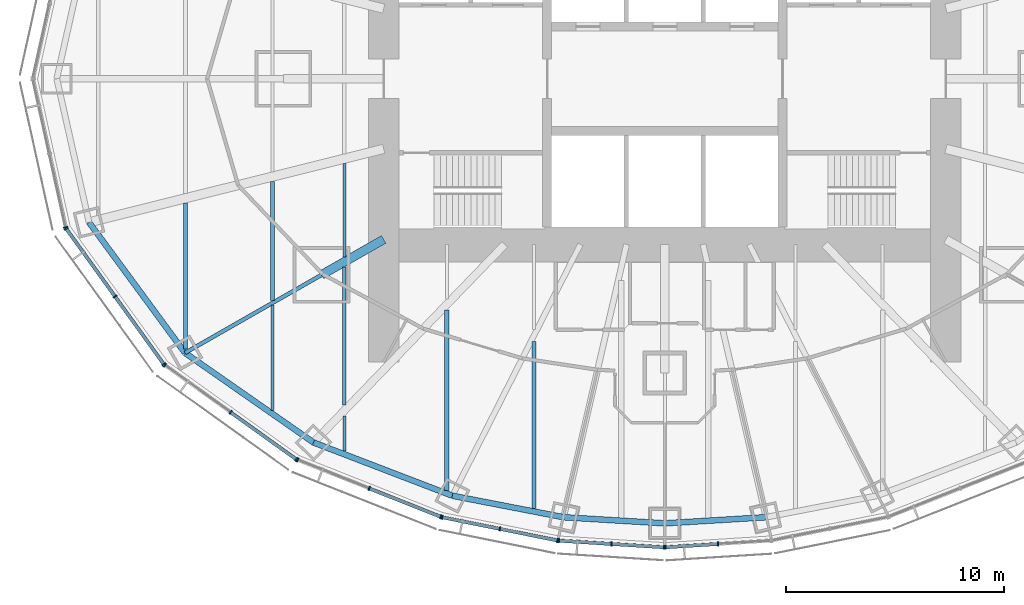
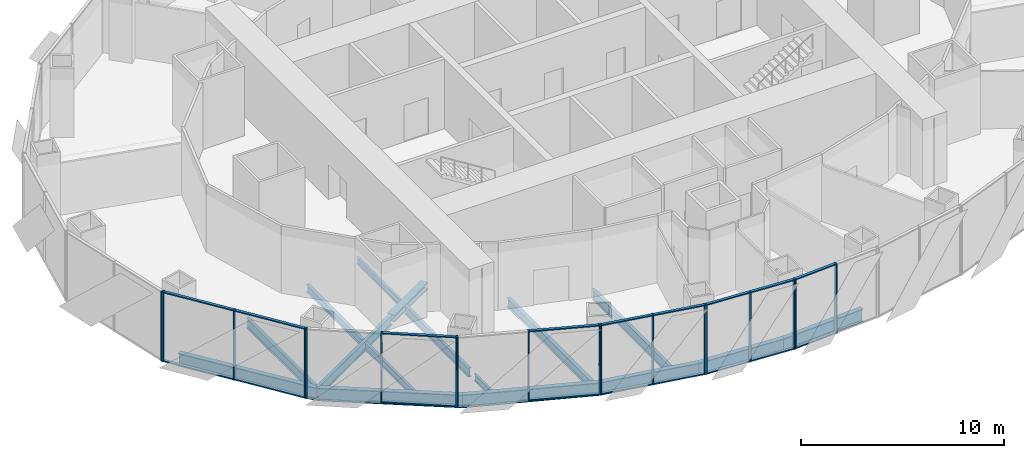
# One storey, part 2 of 18: 36 members, 16 beams, 7 elements without a shape of their own.
"""IFC4 building model written with IfcOpenShell, lengths in metres."""

from ifc_helpers import new_model, si_unit, direction, frame, origin, origin_2d, place, context, subcontext, project, spatial, rectangle, i_section, extrude, material, material_profile, profile_set, type_object, element, aggregate, save


model = new_model("IFC4")

# Units and contexts
model_context = context("Model", 3, precision=1e-05, world=origin(), true_north=direction((0.0, 1.0)))
body_context = subcontext(model_context, "Body", "Model", "MODEL_VIEW")
ifc_project = project(units=[si_unit("LENGTHUNIT", "METRE"), si_unit("AREAUNIT", "SQUARE_METRE"), si_unit("VOLUMEUNIT", "CUBIC_METRE"), si_unit("PLANEANGLEUNIT", "RADIAN"), si_unit("MASSUNIT", "GRAM", prefix="KILO")], contexts=[model_context])

# Site, building, storey
site_placement = place(None, origin())
site = spatial("IfcSite", under=ifc_project, at=site_placement, CompositionType="ELEMENT")
building_placement = place(site_placement, origin())
building = spatial("IfcBuilding", under=site, at=building_placement, Name="Lantaw Convention Tower", CompositionType="ELEMENT")
storey_placement = place(building_placement, frame((0.0, 0.0, 142.60009765625)))
storey = spatial("IfcBuildingStorey", under=building, at=storey_placement, Name="L33", CompositionType="ELEMENT", Elevation=142.60009765625)

# Beams
ifc_material_1 = material(Name="Steel ASTM A992", Category="steel")
ifc_material_profile_1 = material_profile(ifc_material_1, i_section(OverallWidth=0.2666015625, OverallDepth=0.76953125, WebThickness=0.015625, FlangeThickness=0.025390625, FilletRadius=0.0126953125, at=origin_2d()), Name="W30X132")
ifc_profile_set_1 = profile_set([ifc_material_profile_1], Name="Steel ASTM A992")
beam_type_1 = type_object("IfcBeamType", Name="Beam E W30X132", PredefinedType="SPANDREL", material=ifc_profile_set_1)
beam_1_placement = place(storey_placement, frame((-26.419921875, -6.587158203125, -0.534912109375), z_axis=(0.5923891972, -0.805651934176, 0.0), x_axis=(0.805651934176, 0.5923891972, 0.0)))
element("IfcBeam", 1, at=beam_1_placement, inside=storey, type_object=beam_type_1, Name="Edge beam 14", PredefinedType="SPANDREL", context=body_context, shape_type="SweptSolid", body=[
    extrude(i_section(OverallWidth=0.2666015625, OverallDepth=0.76953125, WebThickness=0.015625, FlangeThickness=0.025390625, FilletRadius=0.0126953125, at=origin_2d()), origin(), (0.0, 0.0, 1.0), 7.437744140625),
])
beam_2_placement = place(storey_placement, frame((-22.013916015625, -12.579345703125, -0.534912109375), z_axis=(0.820310765287, -0.57191804339, 0.0), x_axis=(0.57191804339, 0.820310765287, 0.0)))
element("IfcBeam", 2, at=beam_2_placement, inside=storey, type_object=beam_type_1, Name="Edge beam 15", PredefinedType="SPANDREL", context=body_context, shape_type="SweptSolid", body=[
    extrude(i_section(OverallWidth=0.2666015625, OverallDepth=0.76953125, WebThickness=0.015625, FlangeThickness=0.025390625, FilletRadius=0.0126953125, at=origin_2d()), origin(), (0.0, 0.0, 1.0), 7.187744140625),
])
beam_3_placement = place(storey_placement, frame((-16.11767578125, -16.690185546875, -0.534912109375), z_axis=(0.933691081977, -0.358079549033, 0.0), x_axis=(0.358079549033, 0.933691081977, 0.0)))
element("IfcBeam", 3, at=beam_3_placement, inside=storey, type_object=beam_type_1, Name="Edge beam 16", PredefinedType="SPANDREL", context=body_context, shape_type="SweptSolid", body=[
    extrude(i_section(OverallWidth=0.2666015625, OverallDepth=0.76953125, WebThickness=0.015625, FlangeThickness=0.025390625, FilletRadius=0.0126953125, at=origin_2d()), origin(), (0.0, 0.0, 1.0), 6.821533203125),
])
beam_4_placement = place(storey_placement, frame((-9.74853515625, -19.1328125, -0.534912109375), z_axis=(0.981796805654, -0.189934284446, 0.0), x_axis=(0.189934284446, 0.981796805654, 0.0)))
element("IfcBeam", 4, at=beam_4_placement, inside=storey, type_object=beam_type_1, Name="Edge beam 17", PredefinedType="SPANDREL", context=body_context, shape_type="SweptSolid", body=[
    extrude(i_section(OverallWidth=0.2666015625, OverallDepth=0.76953125, WebThickness=0.015625, FlangeThickness=0.025390625, FilletRadius=0.0126953125, at=origin_2d()), origin(), (0.0, 0.0, 1.0), 5.1982421875),
])
for number, where, z_axis, x_axis, name in (
    (5, (-4.64501953125, -20.1201171875, -0.534912109375), (0.998190892054, -0.06012439621, 0.0), (0.06012439621, 0.998190892054, 0.0), "Edge beam 18"),
    (6, (0.0, -20.39990234375, -0.534912109375), (0.998190892054, 0.06012439621, 0.0), (-0.06012439621, 0.998190892054, 0.0), "Edge beam 19"),
):
    element("IfcBeam", number, at=place(storey_placement, frame(where, z_axis=z_axis, x_axis=x_axis)), inside=storey, type_object=beam_type_1, Name=name, PredefinedType="SPANDREL", context=body_context, shape_type="SweptSolid", body=[
        extrude(i_section(OverallWidth=0.2666015625, OverallDepth=0.76953125, WebThickness=0.015625, FlangeThickness=0.025390625, FilletRadius=0.0126953125, at=origin_2d()), origin(), (0.0, 0.0, 1.0), 4.6533203125),
    ])
ifc_material_profile_2 = material_profile(ifc_material_1, i_section(OverallWidth=0.177978515625, OverallDepth=0.599365234375, WebThickness=0.010009765625, FlangeThickness=0.012939453125, FilletRadius=0.012939453125, at=origin_2d()), Name="W24X55")
ifc_profile_set_2 = profile_set([ifc_material_profile_2], Name="Steel ASTM A992")
beam_type_2 = type_object("IfcBeamType", Name="Beam G W24X55", PredefinedType="BEAM", material=ifc_profile_set_2)
beam_5_placement = place(storey_placement, frame((-15.75, -9.0, -0.44970703125), z_axis=(-0.868245224608, -0.496135293993, 0.0), x_axis=(0.496135293993, -0.868245224608, 0.0)))
element("IfcBeam", 7, at=beam_5_placement, inside=storey, type_object=beam_type_2, Name="Floor girder on ray 15", PredefinedType="BEAM", context=body_context, shape_type="SweptSolid", body=[
    extrude(i_section(OverallWidth=0.177978515625, OverallDepth=0.599365234375, WebThickness=0.010009765625, FlangeThickness=0.012939453125, FilletRadius=0.012939453125, at=origin_2d()), origin(), (0.0, 0.0, 1.0), 7.21435546875),
])
ifc_material_profile_3 = material_profile(ifc_material_1, i_section(OverallWidth=0.40380859375, OverallDepth=0.406494140625, WebThickness=0.027099609375, FlangeThickness=0.043701171875, FilletRadius=0.01513671875, at=origin_2d()), Name="W14X233")
ifc_profile_set_3 = profile_set([ifc_material_profile_3], Name="Steel ASTM A992")
beam_type_3 = type_object("IfcBeamType", Name="Beam GM W14X233", PredefinedType="BEAM", material=ifc_profile_set_3)
beam_6_placement = place(storey_placement, frame((-12.89990234375, -7.371337890625, -0.353271484375), z_axis=(-0.868238565244, -0.496146947811, 0.0), x_axis=(0.496146947811, -0.868238565244, 0.0)))
element("IfcBeam", 8, at=beam_6_placement, inside=storey, type_object=beam_type_3, Name="Core link beam on ray 15", PredefinedType="BEAM", context=body_context, shape_type="SweptSolid", body=[
    extrude(i_section(OverallWidth=0.40380859375, OverallDepth=0.406494140625, WebThickness=0.027099609375, FlangeThickness=0.043701171875, FilletRadius=0.01513671875, at=origin_2d()), origin(), (0.0, 0.0, 1.0), 3.28271484375),
])
ifc_material_profile_4 = material_profile(ifc_material_1, i_section(OverallWidth=0.140380859375, OverallDepth=0.40380859375, WebThickness=0.007080078125, FlangeThickness=0.01123046875, FilletRadius=0.01025390625, at=origin_2d()), Name="W16X31")
ifc_profile_set_4 = profile_set([ifc_material_profile_4], Name="Steel ASTM A992")
beam_type_4 = type_object("IfcBeamType", Name="Beam J W16X31", PredefinedType="JOIST", material=ifc_profile_set_4)
beam_7_placement = place(storey_placement, frame((-14.699951171875, -17.091064453125, -0.35205078125), z_axis=(0.0, 1.0, 0.0), x_axis=(-1.0, 0.0, 0.0)))
element("IfcBeam", 9, at=beam_7_placement, inside=storey, type_object=beam_type_4, Name="Floor joist", PredefinedType="JOIST", context=body_context, shape_type="SweptSolid", body=[
    extrude(i_section(OverallWidth=0.140380859375, OverallDepth=0.40380859375, WebThickness=0.007080078125, FlangeThickness=0.01123046875, FilletRadius=0.01025390625, at=origin_2d()), origin(), (0.0, 0.0, 1.0), 1.609130859375),
])
beam_8_placement = place(storey_placement, frame((-14.699951171875, -8.16748046875, -0.35205078125), z_axis=(0.0, 1.0, 0.0), x_axis=(-1.0, 0.0, 0.0)))
element("IfcBeam", 10, at=beam_8_placement, inside=storey, type_object=beam_type_4, Name="Floor joist", PredefinedType="JOIST", context=body_context, shape_type="SweptSolid", body=[
    extrude(i_section(OverallWidth=0.140380859375, OverallDepth=0.40380859375, WebThickness=0.007080078125, FlangeThickness=0.01123046875, FilletRadius=0.01025390625, at=origin_2d()), origin(), (0.0, 0.0, 1.0), 4.28515625),
])
ifc_material_profile_5 = material_profile(ifc_material_1, i_section(OverallWidth=0.15234375, OverallDepth=0.449462890625, WebThickness=0.007568359375, FlangeThickness=0.0107421875, FilletRadius=0.01025390625, at=origin_2d()), Name="W18X35")
ifc_profile_set_5 = profile_set([ifc_material_profile_5], Name="Steel ASTM A992")
beam_type_5 = type_object("IfcBeamType", Name="Beam J W18X35", PredefinedType="JOIST", material=ifc_profile_set_5)
beam_9_placement = place(storey_placement, frame((-18.0, -15.21533203125, -0.375), z_axis=(0.0, 1.0, 0.0), x_axis=(-1.0, 0.0, 0.0)))
element("IfcBeam", 11, at=beam_9_placement, inside=storey, type_object=beam_type_5, Name="Floor joist", PredefinedType="JOIST", context=body_context, shape_type="SweptSolid", body=[
    extrude(i_section(OverallWidth=0.15234375, OverallDepth=0.449462890625, WebThickness=0.007568359375, FlangeThickness=0.0107421875, FilletRadius=0.01025390625, at=origin_2d()), origin(), (0.0, 0.0, 1.0), 4.8271484375),
])
ifc_material_profile_6 = material_profile(ifc_material_1, i_section(OverallWidth=0.1904296875, OverallDepth=0.457275390625, WebThickness=0.009033203125, FlangeThickness=0.014404296875, FilletRadius=0.01025390625, at=origin_2d()), Name="W18X50")
ifc_profile_set_6 = profile_set([ifc_material_profile_6], Name="Steel ASTM A992")
beam_type_6 = type_object("IfcBeamType", Name="Beam J W18X50", PredefinedType="JOIST", material=ifc_profile_set_6)
beam_10_placement = place(storey_placement, frame((-18.0, -10.18310546875, -0.378662109375), z_axis=(0.0, 1.0, 0.0), x_axis=(-1.0, 0.0, 0.0)))
element("IfcBeam", 12, at=beam_10_placement, inside=storey, type_object=beam_type_6, Name="Floor joist", PredefinedType="JOIST", context=body_context, shape_type="SweptSolid", body=[
    extrude(i_section(OverallWidth=0.1904296875, OverallDepth=0.457275390625, WebThickness=0.009033203125, FlangeThickness=0.014404296875, FilletRadius=0.01025390625, at=origin_2d()), origin(), (0.0, 0.0, 1.0), 5.47802734375),
])
ifc_material_profile_7 = material_profile(ifc_material_1, i_section(OverallWidth=0.1650390625, OverallDepth=0.52587890625, WebThickness=0.0087890625, FlangeThickness=0.011474609375, FilletRadius=0.0126953125, at=origin_2d()), Name="W21X44")
ifc_profile_set_7 = profile_set([ifc_material_profile_7], Name="Steel ASTM A992")
beam_type_7 = type_object("IfcBeamType", Name="Beam J W21X44", PredefinedType="JOIST", material=ifc_profile_set_7)
beam_11_placement = place(storey_placement, frame((-14.699951171875, -14.962646484375, -0.4130859375), z_axis=(0.0, 1.0, 0.0), x_axis=(-1.0, 0.0, 0.0)))
element("IfcBeam", 13, at=beam_11_placement, inside=storey, type_object=beam_type_7, Name="Floor joist", PredefinedType="JOIST", context=body_context, shape_type="SweptSolid", body=[
    extrude(i_section(OverallWidth=0.1650390625, OverallDepth=0.52587890625, WebThickness=0.0087890625, FlangeThickness=0.011474609375, FilletRadius=0.0126953125, at=origin_2d()), origin(), (0.0, 0.0, 1.0), 6.330078125),
])
ifc_material_profile_8 = material_profile(ifc_material_1, i_section(OverallWidth=0.2099609375, OverallDepth=0.535888671875, WebThickness=0.010986328125, FlangeThickness=0.017333984375, FilletRadius=0.012939453125, at=origin_2d()), Name="W21X68")
ifc_profile_set_8 = profile_set([ifc_material_profile_8], Name="Steel ASTM A992")
beam_type_8 = type_object("IfcBeamType", Name="Beam J W21X68", PredefinedType="JOIST", material=ifc_profile_set_8)
beam_12_placement = place(storey_placement, frame((-10.0, -18.8935546875, -0.41796875), z_axis=(0.0, 1.0, 0.0), x_axis=(-1.0, 0.0, 0.0)))
element("IfcBeam", 14, at=beam_12_placement, inside=storey, type_object=beam_type_8, Name="Floor joist", PredefinedType="JOIST", context=body_context, shape_type="SweptSolid", body=[
    extrude(i_section(OverallWidth=0.2099609375, OverallDepth=0.535888671875, WebThickness=0.010986328125, FlangeThickness=0.017333984375, FilletRadius=0.012939453125, at=origin_2d()), origin(), (0.0, 0.0, 1.0), 8.278564453125),
])
ifc_material_profile_9 = material_profile(ifc_material_1, i_section(OverallWidth=0.177978515625, OverallDepth=0.599365234375, WebThickness=0.010009765625, FlangeThickness=0.012939453125, FilletRadius=0.012939453125, at=origin_2d()), Name="W24X55")
ifc_profile_set_9 = profile_set([ifc_material_profile_9], Name="Steel ASTM A992")
beam_type_9 = type_object("IfcBeamType", Name="Beam J W24X55", PredefinedType="JOIST", material=ifc_profile_set_9)
beam_13_placement = place(storey_placement, frame((-22.0, -12.408935546875, -0.44970703125), z_axis=(0.0, 1.0, 0.0), x_axis=(-1.0, 0.0, 0.0)))
element("IfcBeam", 15, at=beam_13_placement, inside=storey, type_object=beam_type_9, Name="Floor joist", PredefinedType="JOIST", context=body_context, shape_type="SweptSolid", body=[
    extrude(i_section(OverallWidth=0.177978515625, OverallDepth=0.599365234375, WebThickness=0.010009765625, FlangeThickness=0.012939453125, FilletRadius=0.012939453125, at=origin_2d()), origin(), (0.0, 0.0, 1.0), 6.70654296875),
])
beam_14_placement = place(storey_placement, frame((-6.0, -19.72216796875, -0.44970703125), z_axis=(0.0, 1.0, 0.0), x_axis=(-1.0, 0.0, 0.0)))
element("IfcBeam", 16, at=beam_14_placement, inside=storey, type_object=beam_type_9, Name="Floor joist", PredefinedType="JOIST", context=body_context, shape_type="SweptSolid", body=[
    extrude(i_section(OverallWidth=0.177978515625, OverallDepth=0.599365234375, WebThickness=0.010009765625, FlangeThickness=0.012939453125, FilletRadius=0.012939453125, at=origin_2d()), origin(), (0.0, 0.0, 1.0), 7.666748046875),
])

# Curtain wall, member
ifc_material_2 = material(Name="Aluminium framed curtain wall", Category="aluminium")
curtain_wall_type = type_object("IfcCurtainWallType", Name="Office curtain wall low rise, pale aluminium", PredefinedType="USERDEFINED", material=ifc_material_2)
curtain_wall_1_placement = place(storey_placement, origin())
curtain_wall_1 = element("IfcCurtainWall", 17, at=curtain_wall_1_placement, inside=storey, type_object=curtain_wall_type, Name="Office curtain wall low rise, pale aluminium L33", ObjectType="UNITISED CURTAIN WALL", PredefinedType="USERDEFINED")
ifc_material_3 = material(Name="Aluminium 6063-T6", Category="aluminium")
ifc_material_profile_10 = material_profile(ifc_material_3, rectangle(XDim=0.199951171875, YDim=0.06494140625, at=origin_2d()), Name="CW-O1 mullion 65x200")
ifc_profile_set_10 = profile_set([ifc_material_profile_10], Name="Aluminium 6063-T6")
member_type_1 = type_object("IfcMemberType", Name="CW-O1 mullion 65x200", PredefinedType="MULLION", material=ifc_profile_set_10)
member_1_placement = place(storey_placement, frame((-27.494140625, -6.821533203125, -0.150146484375), z_axis=(0.0, 0.0, 1.0), x_axis=(0.9764936509, 0.215546166174, 0.0)))
member_1 = element("IfcMember", 18, at=member_1_placement, type_object=member_type_1, Name="CW-O1 mullion 3", PredefinedType="MULLION", context=body_context, shape_type="SweptSolid", body=[
    extrude(rectangle(XDim=0.199951171875, YDim=0.06494140625, at=origin_2d()), origin(), (0.0, 0.0, 1.0), 4.199951171875),
])
aggregate(curtain_wall_1, [member_1])

# Curtain wall, members
curtain_wall_2_placement = place(storey_placement, origin())
curtain_wall_2 = element("IfcCurtainWall", 19, at=curtain_wall_2_placement, inside=storey, type_object=curtain_wall_type, Name="Office curtain wall low rise, pale aluminium L33", ObjectType="UNITISED CURTAIN WALL", PredefinedType="USERDEFINED")
member_2_placement = place(storey_placement, frame((-27.46826171875, -6.879638671875, -0.150146484375), z_axis=(0.0, 0.0, 1.0), x_axis=(0.811384633629, 0.584512597221, 0.0)))
member_2 = element("IfcMember", 20, at=member_2_placement, type_object=member_type_1, Name="CW-O1 mullion 1", PredefinedType="MULLION", context=body_context, shape_type="SweptSolid", body=[
    extrude(rectangle(XDim=0.199951171875, YDim=0.06494140625, at=origin_2d()), origin(), (0.0, 0.0, 1.0), 4.199951171875),
])
member_3_placement = place(storey_placement, frame((-25.22802734375, -9.9892578125, -0.150146484375), z_axis=(0.0, 0.0, 1.0), x_axis=(0.811384633629, 0.584512597221, 0.0)))
member_3 = element("IfcMember", 21, at=member_3_placement, type_object=member_type_1, Name="CW-O1 mullion 2", PredefinedType="MULLION", context=body_context, shape_type="SweptSolid", body=[
    extrude(rectangle(XDim=0.199951171875, YDim=0.06494140625, at=origin_2d()), origin(), (0.0, 0.0, 1.0), 4.199951171875),
])
member_4_placement = place(storey_placement, frame((-22.988037109375, -13.098876953125, -0.150146484375), z_axis=(0.0, 0.0, 1.0), x_axis=(0.811384633629, 0.584512597221, 0.0)))
member_4 = element("IfcMember", 22, at=member_4_placement, type_object=member_type_1, Name="CW-O1 mullion 3", PredefinedType="MULLION", context=body_context, shape_type="SweptSolid", body=[
    extrude(rectangle(XDim=0.199951171875, YDim=0.06494140625, at=origin_2d()), origin(), (0.0, 0.0, 1.0), 4.199951171875),
])

curtain_wall_3_placement = place(storey_placement, origin())
curtain_wall_3 = element("IfcCurtainWall", 23, at=curtain_wall_3_placement, inside=storey, type_object=curtain_wall_type, Name="Office curtain wall low rise, pale aluminium L33", ObjectType="UNITISED CURTAIN WALL", PredefinedType="USERDEFINED")
member_5_placement = place(storey_placement, frame((-22.942626953125, -13.14404296875, -0.150146484375), z_axis=(0.0, 0.0, 1.0), x_axis=(0.581972695693, 0.813208325995, 0.0)))
member_5 = element("IfcMember", 24, at=member_5_placement, type_object=member_type_1, Name="CW-O1 mullion 1", PredefinedType="MULLION", context=body_context, shape_type="SweptSolid", body=[
    extrude(rectangle(XDim=0.199951171875, YDim=0.06494140625, at=origin_2d()), origin(), (0.0, 0.0, 1.0), 4.199951171875),
])
member_6_placement = place(storey_placement, frame((-19.92529296875, -15.303466796875, -0.150146484375), z_axis=(0.0, 0.0, 1.0), x_axis=(0.581972695693, 0.813208325995, 0.0)))
member_6 = element("IfcMember", 25, at=member_6_placement, type_object=member_type_1, Name="CW-O1 mullion 2", PredefinedType="MULLION", context=body_context, shape_type="SweptSolid", body=[
    extrude(rectangle(XDim=0.199951171875, YDim=0.06494140625, at=origin_2d()), origin(), (0.0, 0.0, 1.0), 4.199951171875),
])
member_7_placement = place(storey_placement, frame((-16.908203125, -17.462646484375, -0.150146484375), z_axis=(0.0, 0.0, 1.0), x_axis=(0.581972695693, 0.813208325995, 0.0)))
member_7 = element("IfcMember", 26, at=member_7_placement, type_object=member_type_1, Name="CW-O1 mullion 3", PredefinedType="MULLION", context=body_context, shape_type="SweptSolid", body=[
    extrude(rectangle(XDim=0.199951171875, YDim=0.06494140625, at=origin_2d()), origin(), (0.0, 0.0, 1.0), 4.199951171875),
])

curtain_wall_4_placement = place(storey_placement, origin())
curtain_wall_4 = element("IfcCurtainWall", 27, at=curtain_wall_4_placement, inside=storey, type_object=curtain_wall_type, Name="Office curtain wall low rise, pale aluminium L33", ObjectType="UNITISED CURTAIN WALL", PredefinedType="USERDEFINED")
member_8_placement = place(storey_placement, frame((-16.8515625, -17.49365234375, -0.150146484375), z_axis=(0.0, 0.0, 1.0), x_axis=(0.368701907483, 0.929547687544, 0.0)))
member_8 = element("IfcMember", 28, at=member_8_placement, type_object=member_type_1, Name="CW-O1 mullion 1", PredefinedType="MULLION", context=body_context, shape_type="SweptSolid", body=[
    extrude(rectangle(XDim=0.199951171875, YDim=0.06494140625, at=origin_2d()), origin(), (0.0, 0.0, 1.0), 4.199951171875),
])
member_9_placement = place(storey_placement, frame((-13.56494140625, -18.797119140625, -0.150146484375), z_axis=(0.0, 0.0, 1.0), x_axis=(0.368701907483, 0.929547687544, 0.0)))
member_9 = element("IfcMember", 29, at=member_9_placement, type_object=member_type_1, Name="CW-O1 mullion 2", PredefinedType="MULLION", context=body_context, shape_type="SweptSolid", body=[
    extrude(rectangle(XDim=0.199951171875, YDim=0.06494140625, at=origin_2d()), origin(), (0.0, 0.0, 1.0), 4.199951171875),
])
member_10_placement = place(storey_placement, frame((-10.2783203125, -20.100830078125, -0.150146484375), z_axis=(0.0, 0.0, 1.0), x_axis=(0.368701907483, 0.929547687544, 0.0)))
member_10 = element("IfcMember", 30, at=member_10_placement, type_object=member_type_1, Name="CW-O1 mullion 3", PredefinedType="MULLION", context=body_context, shape_type="SweptSolid", body=[
    extrude(rectangle(XDim=0.199951171875, YDim=0.06494140625, at=origin_2d()), origin(), (0.0, 0.0, 1.0), 4.199951171875),
])

curtain_wall_5_placement = place(storey_placement, origin())
curtain_wall_5 = element("IfcCurtainWall", 31, at=curtain_wall_5_placement, inside=storey, type_object=curtain_wall_type, Name="Office curtain wall low rise, pale aluminium L33", ObjectType="UNITISED CURTAIN WALL", PredefinedType="USERDEFINED")
member_11_placement = place(storey_placement, frame((-10.216064453125, -20.119140625, -0.150146484375), z_axis=(0.0, 0.0, 1.0), x_axis=(0.197506809659, 0.980301514912, 0.0)))
member_11 = element("IfcMember", 32, at=member_11_placement, type_object=member_type_1, Name="CW-O1 mullion 1", PredefinedType="MULLION", context=body_context, shape_type="SweptSolid", body=[
    extrude(rectangle(XDim=0.199951171875, YDim=0.06494140625, at=origin_2d()), origin(), (0.0, 0.0, 1.0), 4.199951171875),
])
member_12_placement = place(storey_placement, frame((-7.5703125, -20.65234375, -0.150146484375), z_axis=(0.0, 0.0, 1.0), x_axis=(0.197506809659, 0.980301514912, 0.0)))
member_12 = element("IfcMember", 33, at=member_12_placement, type_object=member_type_1, Name="CW-O1 mullion 2", PredefinedType="MULLION", context=body_context, shape_type="SweptSolid", body=[
    extrude(rectangle(XDim=0.199951171875, YDim=0.06494140625, at=origin_2d()), origin(), (0.0, 0.0, 1.0), 4.199951171875),
])
member_13_placement = place(storey_placement, frame((-4.92431640625, -21.185302734375, -0.150146484375), z_axis=(0.0, 0.0, 1.0), x_axis=(0.197506809659, 0.980301514912, 0.0)))
member_13 = element("IfcMember", 34, at=member_13_placement, type_object=member_type_1, Name="CW-O1 mullion 3", PredefinedType="MULLION", context=body_context, shape_type="SweptSolid", body=[
    extrude(rectangle(XDim=0.199951171875, YDim=0.06494140625, at=origin_2d()), origin(), (0.0, 0.0, 1.0), 4.199951171875),
])

curtain_wall_6_placement = place(storey_placement, origin())
curtain_wall_6 = element("IfcCurtainWall", 35, at=curtain_wall_6_placement, inside=storey, type_object=curtain_wall_type, Name="Office curtain wall low rise, pale aluminium L33", ObjectType="UNITISED CURTAIN WALL", PredefinedType="USERDEFINED")
member_14_placement = place(storey_placement, frame((-4.860107421875, -21.19384765625, -0.150146484375), z_axis=(0.0, 0.0, 1.0), x_axis=(0.062865059466, 0.998022035978, 0.0)))
member_14 = element("IfcMember", 36, at=member_14_placement, type_object=member_type_1, Name="CW-O1 mullion 1", PredefinedType="MULLION", context=body_context, shape_type="SweptSolid", body=[
    extrude(rectangle(XDim=0.199951171875, YDim=0.06494140625, at=origin_2d()), origin(), (0.0, 0.0, 1.0), 4.199951171875),
])
member_15_placement = place(storey_placement, frame((-2.4462890625, -21.345947265625, -0.150146484375), z_axis=(0.0, 0.0, 1.0), x_axis=(0.062865059466, 0.998022035978, 0.0)))
member_15 = element("IfcMember", 37, at=member_15_placement, type_object=member_type_1, Name="CW-O1 mullion 2", PredefinedType="MULLION", context=body_context, shape_type="SweptSolid", body=[
    extrude(rectangle(XDim=0.199951171875, YDim=0.06494140625, at=origin_2d()), origin(), (0.0, 0.0, 1.0), 4.199951171875),
])
member_16_placement = place(storey_placement, frame((-0.032470703125, -21.498046875, -0.150146484375), z_axis=(0.0, 0.0, 1.0), x_axis=(0.062865059466, 0.998022035978, 0.0)))
member_16 = element("IfcMember", 38, at=member_16_placement, type_object=member_type_1, Name="CW-O1 mullion 3", PredefinedType="MULLION", context=body_context, shape_type="SweptSolid", body=[
    extrude(rectangle(XDim=0.199951171875, YDim=0.06494140625, at=origin_2d()), origin(), (0.0, 0.0, 1.0), 4.199951171875),
])

curtain_wall_7_placement = place(storey_placement, origin())
curtain_wall_7 = element("IfcCurtainWall", 39, at=curtain_wall_7_placement, inside=storey, type_object=curtain_wall_type, Name="Office curtain wall low rise, pale aluminium L33", ObjectType="UNITISED CURTAIN WALL", PredefinedType="USERDEFINED")
member_17_placement = place(storey_placement, frame((0.032470703125, -21.498046875, -0.150146484375), z_axis=(0.0, 0.0, 1.0), x_axis=(-0.062865059466, 0.998022035978, 0.0)))
member_17 = element("IfcMember", 40, at=member_17_placement, type_object=member_type_1, Name="CW-O1 mullion 1", PredefinedType="MULLION", context=body_context, shape_type="SweptSolid", body=[
    extrude(rectangle(XDim=0.199951171875, YDim=0.06494140625, at=origin_2d()), origin(), (0.0, 0.0, 1.0), 4.199951171875),
])
member_18_placement = place(storey_placement, frame((2.4462890625, -21.345947265625, -0.150146484375), z_axis=(0.0, 0.0, 1.0), x_axis=(-0.062865059466, 0.998022035978, 0.0)))
member_18 = element("IfcMember", 41, at=member_18_placement, type_object=member_type_1, Name="CW-O1 mullion 2", PredefinedType="MULLION", context=body_context, shape_type="SweptSolid", body=[
    extrude(rectangle(XDim=0.199951171875, YDim=0.06494140625, at=origin_2d()), origin(), (0.0, 0.0, 1.0), 4.199951171875),
])

# Member
ifc_material_profile_11 = material_profile(ifc_material_3, rectangle(XDim=0.159912109375, YDim=0.06494140625, at=origin_2d()), Name="CW-O1 transom 65x160")
ifc_profile_set_11 = profile_set([ifc_material_profile_11], Name="Aluminium 6063-T6")
member_type_2 = type_object("IfcMemberType", Name="CW-O1 transom 65x160", PredefinedType="USERDEFINED", material=ifc_profile_set_11)
member_19_placement = place(storey_placement, frame((-27.44921875, -6.906005859375, -0.11767578125), z_axis=(0.584512973979, -0.811384362217, 0.0), x_axis=(0.811384362217, 0.584512973979, 0.0)))
member_19 = element("IfcMember", 42, at=member_19_placement, type_object=member_type_2, Name="CW-O1 transom 1.1", ObjectType="TRANSOM", PredefinedType="USERDEFINED", context=body_context, shape_type="SweptSolid", body=[
    extrude(rectangle(XDim=0.159912109375, YDim=0.06494140625, at=origin_2d()), origin(), (0.0, 0.0, 1.0), 3.767578125),
])

member_20_placement = place(storey_placement, frame((-27.44921875, -6.906005859375, 4.017333984375), z_axis=(0.584512973979, -0.811384362217, 0.0), x_axis=(0.811384362217, 0.584512973979, 0.0)))
member_20 = element("IfcMember", 43, at=member_20_placement, type_object=member_type_2, Name="CW-O1 transom 1.2", ObjectType="TRANSOM", PredefinedType="USERDEFINED", context=body_context, shape_type="SweptSolid", body=[
    extrude(rectangle(XDim=0.159912109375, YDim=0.06494140625, at=origin_2d()), origin(), (0.0, 0.0, 1.0), 3.767578125),
])

member_21_placement = place(storey_placement, frame((-25.209228515625, -10.015625, -0.11767578125), z_axis=(0.584512973979, -0.811384362217, 0.0), x_axis=(0.811384362217, 0.584512973979, 0.0)))
member_21 = element("IfcMember", 44, at=member_21_placement, type_object=member_type_2, Name="CW-O1 transom 2.1", ObjectType="TRANSOM", PredefinedType="USERDEFINED", context=body_context, shape_type="SweptSolid", body=[
    extrude(rectangle(XDim=0.159912109375, YDim=0.06494140625, at=origin_2d()), origin(), (0.0, 0.0, 1.0), 3.767578125),
])

member_22_placement = place(storey_placement, frame((-25.209228515625, -10.015625, 4.017333984375), z_axis=(0.584512973979, -0.811384362217, 0.0), x_axis=(0.811384362217, 0.584512973979, 0.0)))
member_22 = element("IfcMember", 45, at=member_22_placement, type_object=member_type_2, Name="CW-O1 transom 2.2", ObjectType="TRANSOM", PredefinedType="USERDEFINED", context=body_context, shape_type="SweptSolid", body=[
    extrude(rectangle(XDim=0.159912109375, YDim=0.06494140625, at=origin_2d()), origin(), (0.0, 0.0, 1.0), 3.767578125),
])

aggregate(curtain_wall_2, [member_2, member_3, member_4, member_19, member_20, member_21, member_22])

member_23_placement = place(storey_placement, frame((-19.89892578125, -15.322265625, -0.11767578125), z_axis=(0.813190089133, -0.581998177777, 0.0), x_axis=(0.581998177777, 0.813190089133, 0.0)))
member_23 = element("IfcMember", 46, at=member_23_placement, type_object=member_type_2, Name="CW-O1 transom 2.1", ObjectType="TRANSOM", PredefinedType="USERDEFINED", context=body_context, shape_type="SweptSolid", body=[
    extrude(rectangle(XDim=0.159912109375, YDim=0.06494140625, at=origin_2d()), origin(), (0.0, 0.0, 1.0), 3.645263671875),
])

member_24_placement = place(storey_placement, frame((-19.89892578125, -15.322265625, 4.017333984375), z_axis=(0.813190089133, -0.581998177777, 0.0), x_axis=(0.581998177777, 0.813190089133, 0.0)))
member_24 = element("IfcMember", 47, at=member_24_placement, type_object=member_type_2, Name="CW-O1 transom 2.2", ObjectType="TRANSOM", PredefinedType="USERDEFINED", context=body_context, shape_type="SweptSolid", body=[
    extrude(rectangle(XDim=0.159912109375, YDim=0.06494140625, at=origin_2d()), origin(), (0.0, 0.0, 1.0), 3.645263671875),
])

aggregate(curtain_wall_3, [member_5, member_6, member_7, member_23, member_24])

member_25_placement = place(storey_placement, frame((-13.53466796875, -18.80908203125, -0.11767578125), z_axis=(0.929540081544, -0.368721082668, 0.0), x_axis=(0.368721082668, 0.929540081544, 0.0)))
member_25 = element("IfcMember", 48, at=member_25_placement, type_object=member_type_2, Name="CW-O1 transom 2.1", ObjectType="TRANSOM", PredefinedType="USERDEFINED", context=body_context, shape_type="SweptSolid", body=[
    extrude(rectangle(XDim=0.159912109375, YDim=0.06494140625, at=origin_2d()), origin(), (0.0, 0.0, 1.0), 3.470947265625),
])

member_26_placement = place(storey_placement, frame((-13.53466796875, -18.80908203125, 4.017333984375), z_axis=(0.929540081544, -0.368721082668, 0.0), x_axis=(0.368721082668, 0.929540081544, 0.0)))
member_26 = element("IfcMember", 49, at=member_26_placement, type_object=member_type_2, Name="CW-O1 transom 2.2", ObjectType="TRANSOM", PredefinedType="USERDEFINED", context=body_context, shape_type="SweptSolid", body=[
    extrude(rectangle(XDim=0.159912109375, YDim=0.06494140625, at=origin_2d()), origin(), (0.0, 0.0, 1.0), 3.470947265625),
])

aggregate(curtain_wall_4, [member_8, member_9, member_10, member_25, member_26])

member_27_placement = place(storey_placement, frame((-10.184326171875, -20.125732421875, -0.11767578125), z_axis=(0.980301643003, -0.197506173891, 0.0), x_axis=(0.197506173891, 0.980301643003, 0.0)))
member_27 = element("IfcMember", 50, at=member_27_placement, type_object=member_type_2, Name="CW-O1 transom 1.1", ObjectType="TRANSOM", PredefinedType="USERDEFINED", context=body_context, shape_type="SweptSolid", body=[
    extrude(rectangle(XDim=0.159912109375, YDim=0.06494140625, at=origin_2d()), origin(), (0.0, 0.0, 1.0), 2.63427734375),
])

member_28_placement = place(storey_placement, frame((-10.184326171875, -20.125732421875, 4.017333984375), z_axis=(0.980301643003, -0.197506173891, 0.0), x_axis=(0.197506173891, 0.980301643003, 0.0)))
member_28 = element("IfcMember", 51, at=member_28_placement, type_object=member_type_2, Name="CW-O1 transom 1.2", ObjectType="TRANSOM", PredefinedType="USERDEFINED", context=body_context, shape_type="SweptSolid", body=[
    extrude(rectangle(XDim=0.159912109375, YDim=0.06494140625, at=origin_2d()), origin(), (0.0, 0.0, 1.0), 2.63427734375),
])

member_29_placement = place(storey_placement, frame((-7.538330078125, -20.65869140625, -0.11767578125), z_axis=(0.980298027092, -0.197524120247, 0.0), x_axis=(0.197524120247, 0.980298027092, 0.0)))
member_29 = element("IfcMember", 52, at=member_29_placement, type_object=member_type_2, Name="CW-O1 transom 2.1", ObjectType="TRANSOM", PredefinedType="USERDEFINED", context=body_context, shape_type="SweptSolid", body=[
    extrude(rectangle(XDim=0.159912109375, YDim=0.06494140625, at=origin_2d()), origin(), (0.0, 0.0, 1.0), 2.634033203125),
])

member_30_placement = place(storey_placement, frame((-7.538330078125, -20.65869140625, 4.017333984375), z_axis=(0.980298027092, -0.197524120247, 0.0), x_axis=(0.197524120247, 0.980298027092, 0.0)))
member_30 = element("IfcMember", 53, at=member_30_placement, type_object=member_type_2, Name="CW-O1 transom 2.2", ObjectType="TRANSOM", PredefinedType="USERDEFINED", context=body_context, shape_type="SweptSolid", body=[
    extrude(rectangle(XDim=0.159912109375, YDim=0.06494140625, at=origin_2d()), origin(), (0.0, 0.0, 1.0), 2.634033203125),
])

aggregate(curtain_wall_5, [member_11, member_12, member_13, member_27, member_28, member_29, member_30])

member_31_placement = place(storey_placement, frame((-4.82763671875, -21.19580078125, -0.11767578125), z_axis=(0.998022188463, -0.062862638625, 0.0), x_axis=(0.062862638625, 0.998022188463, 0.0)))
member_31 = element("IfcMember", 54, at=member_31_placement, type_object=member_type_2, Name="CW-O1 transom 1.1", ObjectType="TRANSOM", PredefinedType="USERDEFINED", context=body_context, shape_type="SweptSolid", body=[
    extrude(rectangle(XDim=0.159912109375, YDim=0.06494140625, at=origin_2d()), origin(), (0.0, 0.0, 1.0), 2.353515625),
])

member_32_placement = place(storey_placement, frame((-4.82763671875, -21.19580078125, 4.017333984375), z_axis=(0.998022188463, -0.062862638625, 0.0), x_axis=(0.062862638625, 0.998022188463, 0.0)))
member_32 = element("IfcMember", 55, at=member_32_placement, type_object=member_type_2, Name="CW-O1 transom 1.2", ObjectType="TRANSOM", PredefinedType="USERDEFINED", context=body_context, shape_type="SweptSolid", body=[
    extrude(rectangle(XDim=0.159912109375, YDim=0.06494140625, at=origin_2d()), origin(), (0.0, 0.0, 1.0), 2.353515625),
])

member_33_placement = place(storey_placement, frame((-2.413818359375, -21.347900390625, -0.11767578125), z_axis=(0.998022188463, -0.062862638625, 0.0), x_axis=(0.062862638625, 0.998022188463, 0.0)))
member_33 = element("IfcMember", 56, at=member_33_placement, type_object=member_type_2, Name="CW-O1 transom 2.1", ObjectType="TRANSOM", PredefinedType="USERDEFINED", context=body_context, shape_type="SweptSolid", body=[
    extrude(rectangle(XDim=0.159912109375, YDim=0.06494140625, at=origin_2d()), origin(), (0.0, 0.0, 1.0), 2.353515625),
])

member_34_placement = place(storey_placement, frame((-2.413818359375, -21.347900390625, 4.017333984375), z_axis=(0.998022188463, -0.062862638625, 0.0), x_axis=(0.062862638625, 0.998022188463, 0.0)))
member_34 = element("IfcMember", 57, at=member_34_placement, type_object=member_type_2, Name="CW-O1 transom 2.2", ObjectType="TRANSOM", PredefinedType="USERDEFINED", context=body_context, shape_type="SweptSolid", body=[
    extrude(rectangle(XDim=0.159912109375, YDim=0.06494140625, at=origin_2d()), origin(), (0.0, 0.0, 1.0), 2.353515625),
])

aggregate(curtain_wall_6, [member_14, member_15, member_16, member_31, member_32, member_33, member_34])

member_35_placement = place(storey_placement, frame((0.06494140625, -21.495849609375, -0.11767578125), z_axis=(0.998022188463, 0.062862638625, 0.0), x_axis=(-0.062862638625, 0.998022188463, 0.0)))
member_35 = element("IfcMember", 58, at=member_35_placement, type_object=member_type_2, Name="CW-O1 transom 1.1", ObjectType="TRANSOM", PredefinedType="USERDEFINED", context=body_context, shape_type="SweptSolid", body=[
    extrude(rectangle(XDim=0.159912109375, YDim=0.06494140625, at=origin_2d()), origin(), (0.0, 0.0, 1.0), 2.353515625),
])

member_36_placement = place(storey_placement, frame((0.06494140625, -21.495849609375, 4.017333984375), z_axis=(0.998022188463, 0.062862638625, 0.0), x_axis=(-0.062862638625, 0.998022188463, 0.0)))
member_36 = element("IfcMember", 59, at=member_36_placement, type_object=member_type_2, Name="CW-O1 transom 1.2", ObjectType="TRANSOM", PredefinedType="USERDEFINED", context=body_context, shape_type="SweptSolid", body=[
    extrude(rectangle(XDim=0.159912109375, YDim=0.06494140625, at=origin_2d()), origin(), (0.0, 0.0, 1.0), 2.353515625),
])

aggregate(curtain_wall_7, [member_17, member_18, member_35, member_36])

save(model, "model.ifc")
